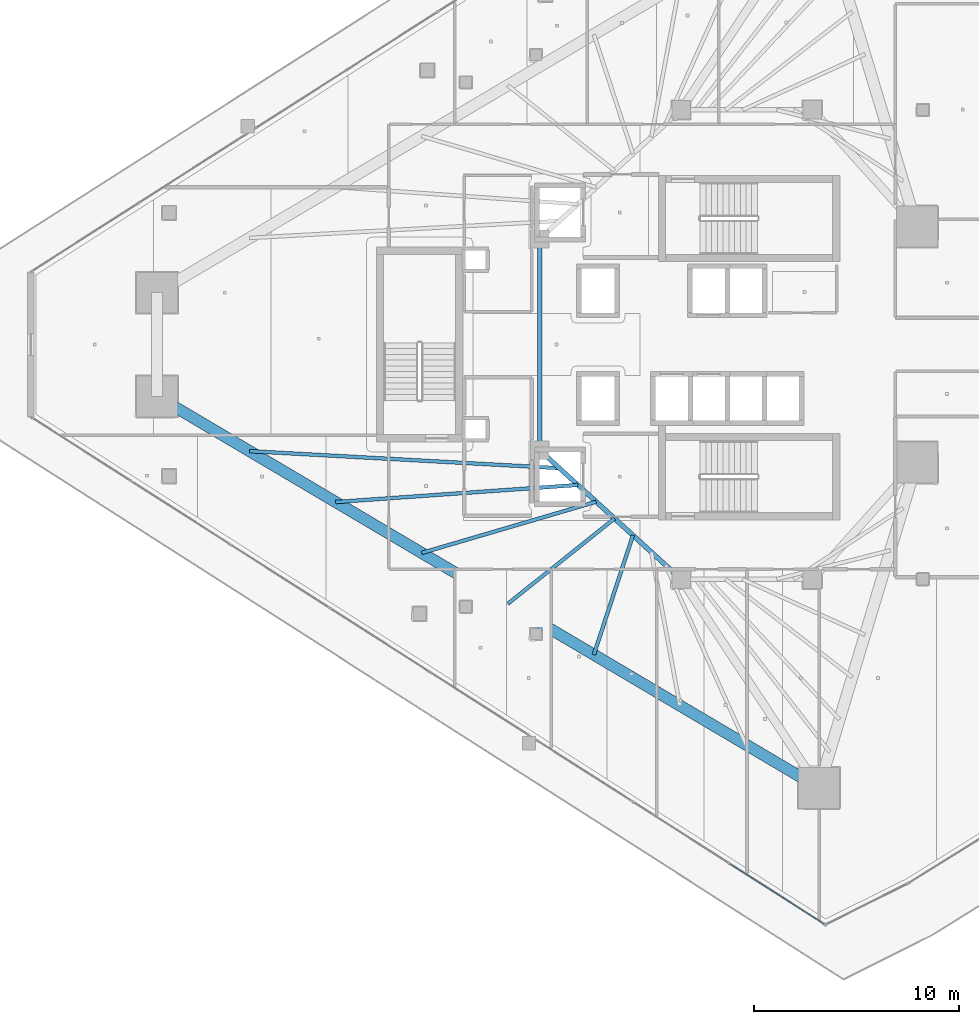
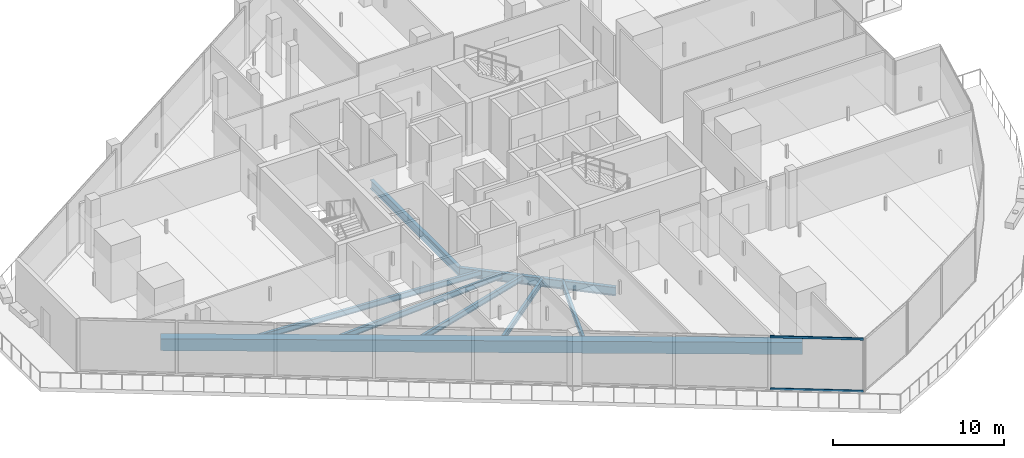
# One storey, part 7 of 37: 8 beams, 2 members, 1 element without a shape of its own.
"""IFC4 building model written with IfcOpenShell, lengths in metres."""

from ifc_helpers import new_model, si_unit, direction, frame, origin, origin_2d, place, context, subcontext, project, spatial, rectangle, hollow_rectangle, i_section, extrude, material, layer, layer_set, material_profile, profile_set, type_object, element, aggregate, save


model = new_model("IFC4")

# Units and contexts
model_context = context("Model", 3, precision=1e-05, world=origin(), true_north=direction((0.0, 1.0)))
body_context = subcontext(model_context, "Body", "Model", "MODEL_VIEW")
ifc_project = project(units=[si_unit("LENGTHUNIT", "METRE"), si_unit("AREAUNIT", "SQUARE_METRE"), si_unit("VOLUMEUNIT", "CUBIC_METRE"), si_unit("PLANEANGLEUNIT", "RADIAN"), si_unit("MASSUNIT", "GRAM", prefix="KILO")], contexts=[model_context])

# Site, building, storey
site_placement = place(None, origin())
site = spatial("IfcSite", under=ifc_project, at=site_placement, CompositionType="ELEMENT")
building_placement = place(site_placement, origin())
building = spatial("IfcBuilding", under=site, at=building_placement, Name="Qorvath Tower", CompositionType="ELEMENT")
storey_placement = place(building_placement, frame((0.0, 0.0, 184.800048828125)))
storey = spatial("IfcBuildingStorey", under=building, at=storey_placement, Name="L42", CompositionType="ELEMENT", Elevation=184.800048828125)

# Beams
ifc_material_1 = material(Name="Steel ASTM A992 Grade 50", Category="steel")
ifc_material_profile_1 = material_profile(ifc_material_1, i_section(OverallWidth=0.22998046875, OverallDepth=0.616943359375, WebThickness=0.01318359375, FlangeThickness=0.022216796875, FilletRadius=0.014892578125, at=origin_2d()), Name="W24x94")
ifc_profile_set_1 = profile_set([ifc_material_profile_1], Name="Steel ASTM A992 Grade 50")
beam_type_1 = type_object("IfcBeamType", Name="BM-FG6", PredefinedType="BEAM", material=ifc_profile_set_1)
beam_1_placement = place(storey_placement, frame((-23.60009765625, -11.449951171875, -0.57861328125), z_axis=(-0.73847813985, 0.6742774184, 0.0), x_axis=(-0.6742774184, -0.73847813985, 0.0)))
element("IfcBeam", 1, at=beam_1_placement, inside=storey, type_object=beam_type_1, Name="Core Ring Girder CC4-CC6 L42", PredefinedType="BEAM", context=body_context, shape_type="SweptSolid", body=[
    extrude(i_section(OverallWidth=0.22998046875, OverallDepth=0.616943359375, WebThickness=0.01318359375, FlangeThickness=0.022216796875, FilletRadius=0.014892578125, at=origin_2d()), origin(), (0.0, 0.0, 1.0), 9.343505859375),
])
beam_2_placement = place(storey_placement, frame((-30.5, -5.14990234375, -0.57861328125), z_axis=(0.0, 1.0, 0.0), x_axis=(-1.0, 0.0, 0.0)))
element("IfcBeam", 2, at=beam_2_placement, inside=storey, type_object=beam_type_1, Name="Core Ring Girder CC6-CC5 L42", PredefinedType="BEAM", context=body_context, shape_type="SweptSolid", body=[
    extrude(i_section(OverallWidth=0.22998046875, OverallDepth=0.616943359375, WebThickness=0.01318359375, FlangeThickness=0.022216796875, FilletRadius=0.014892578125, at=origin_2d()), origin(), (0.0, 0.0, 1.0), 10.2998046875),
])
ifc_material_2 = material(Name="Steel ASTM A992 Grade 50", Category="steel")
ifc_material_profile_2 = material_profile(ifc_material_2, i_section(OverallWidth=0.177978515625, OverallDepth=0.406005859375, WebThickness=0.0078125, FlangeThickness=0.0126953125, FilletRadius=0.010986328125, at=origin_2d()), Name="W16x40")
ifc_profile_set_2 = profile_set([ifc_material_profile_2], Name="Steel ASTM A992 Grade 50")
beam_type_2 = type_object("IfcBeamType", Name="BM-FJ3", PredefinedType="JOIST", material=ifc_profile_set_2)
beam_3_placement = place(storey_placement, frame((-29.533935546875, -6.031982421875, -0.47314453125), z_axis=(-0.998494745044, 0.054847462293, 0.0), x_axis=(-0.054847462293, -0.998494745044, 0.0)))
element("IfcBeam", 3, at=beam_3_placement, inside=storey, type_object=beam_type_2, Name="Composite Floor Joist SW1 L42", PredefinedType="JOIST", context=body_context, shape_type="SweptSolid", body=[
    extrude(i_section(OverallWidth=0.177978515625, OverallDepth=0.406005859375, WebThickness=0.0078125, FlangeThickness=0.0126953125, FilletRadius=0.010986328125, at=origin_2d()), origin(), (0.0, 0.0, 1.0), 15.138671875),
])
beam_4_placement = place(storey_placement, frame((-28.636962890625, -6.85107421875, -0.47314453125), z_axis=(-0.997520476731, -0.070376832146, 0.0), x_axis=(0.070376832146, -0.997520476731, 0.0)))
element("IfcBeam", 4, at=beam_4_placement, inside=storey, type_object=beam_type_2, Name="Composite Floor Joist SW2 L42", PredefinedType="JOIST", context=body_context, shape_type="SweptSolid", body=[
    extrude(i_section(OverallWidth=0.177978515625, OverallDepth=0.406005859375, WebThickness=0.0078125, FlangeThickness=0.0126953125, FilletRadius=0.010986328125, at=origin_2d()), origin(), (0.0, 0.0, 1.0), 11.84326171875),
])
beam_5_placement = place(storey_placement, frame((-27.739990234375, -7.669921875, -0.47314453125), z_axis=(-0.959544992264, -0.281555337049, 0.0), x_axis=(0.281555337049, -0.959544992264, 0.0)))
element("IfcBeam", 5, at=beam_5_placement, inside=storey, type_object=beam_type_2, Name="Composite Floor Joist SW3 L42", PredefinedType="JOIST", context=body_context, shape_type="SweptSolid", body=[
    extrude(i_section(OverallWidth=0.177978515625, OverallDepth=0.406005859375, WebThickness=0.0078125, FlangeThickness=0.0126953125, FilletRadius=0.010986328125, at=origin_2d()), origin(), (0.0, 0.0, 1.0), 8.87060546875),
])
beam_6_placement = place(storey_placement, frame((-26.843017578125, -8.489013671875, -0.47314453125), z_axis=(-0.781336553339, -0.624109918537, 0.0), x_axis=(0.624109918537, -0.781336553339, 0.0)))
element("IfcBeam", 6, at=beam_6_placement, inside=storey, type_object=beam_type_2, Name="Composite Floor Joist SW4 L42", PredefinedType="JOIST", context=body_context, shape_type="SweptSolid", body=[
    extrude(i_section(OverallWidth=0.177978515625, OverallDepth=0.406005859375, WebThickness=0.0078125, FlangeThickness=0.0126953125, FilletRadius=0.010986328125, at=origin_2d()), origin(), (0.0, 0.0, 1.0), 6.667724609375),
])
beam_7_placement = place(storey_placement, frame((-25.946044921875, -9.30810546875, -0.47314453125), z_axis=(-0.311228747452, -0.950335028692, 0.0), x_axis=(0.950335028692, -0.311228747452, 0.0)))
element("IfcBeam", 7, at=beam_7_placement, inside=storey, type_object=beam_type_2, Name="Composite Floor Joist SW5 L42", PredefinedType="JOIST", context=body_context, shape_type="SweptSolid", body=[
    extrude(i_section(OverallWidth=0.177978515625, OverallDepth=0.406005859375, WebThickness=0.0078125, FlangeThickness=0.0126953125, FilletRadius=0.010986328125, at=origin_2d()), origin(), (0.0, 0.0, 1.0), 6.129638671875),
])
ifc_material_3 = material(Name="Concrete C50/60", Category="concrete")
ifc_material_profile_3 = material_profile(ifc_material_3, rectangle(XDim=0.550048828125, YDim=0.85009765625, at=origin_2d()), Name="RCB 850x550")
ifc_profile_set_3 = profile_set([ifc_material_profile_3], Name="Concrete C50/60")
beam_type_3 = type_object("IfcBeamType", Name="BM-RCB2", PredefinedType="SPANDREL", material=ifc_profile_set_3)
beam_8_placement = place(storey_placement, frame((-49.171875, -2.52783203125, -0.695068359375), z_axis=(0.860776759786, -0.50898268125, 0.0), x_axis=(0.50898268125, 0.860776759786, 0.0)))
element("IfcBeam", 8, at=beam_8_placement, inside=storey, type_object=beam_type_3, Name="Perimeter Loggia Frame Beam MC2-MC3 L42", PredefinedType="SPANDREL", context=body_context, shape_type="SweptSolid", body=[
    extrude(rectangle(XDim=0.550048828125, YDim=0.85009765625, at=origin_2d()), origin(), (0.0, 0.0, 1.0), 37.524658203125),
])

# Curtain wall, members
ifc_material_4 = material(Name="Anodised aluminium and triple low-E glass", Category="aluminium")
ifc_layer = layer(ifc_material_4, 0.179931640625)
ifc_layer_set = layer_set([ifc_layer], Name="CW-SYS-3")
curtain_wall_type = type_object("IfcCurtainWallType", Name="CW-SYS-3", PredefinedType="NOTDEFINED", material=ifc_layer_set)
curtain_wall_placement = place(storey_placement, origin())
curtain_wall = element("IfcCurtainWall", 9, at=curtain_wall_placement, inside=storey, type_object=curtain_wall_type, Name="Curtain Wall CW-3 CW-T-L42-2.2", PredefinedType="NOTDEFINED")
ifc_material_5 = material(Name="Anodised aluminium 6063-T6", Category="aluminium")
ifc_material_profile_4 = material_profile(ifc_material_5, hollow_rectangle(XDim=0.06494140625, YDim=0.159912109375, WallThickness=0.00341796875, InnerFilletRadius=0.00341796875, OuterFilletRadius=0.007080078125, at=origin_2d()), Name="CWT 160x65")
ifc_profile_set_4 = profile_set([ifc_material_profile_4], Name="Anodised aluminium 6063-T6")
member_type = type_object("IfcMemberType", Name="CWT-160", PredefinedType="USERDEFINED", material=ifc_profile_set_4)
member_1_placement = place(storey_placement, frame((-21.228759765625, -25.333251953125, 0.032470703125), z_axis=(0.842598452192, -0.53854233665, 0.0), x_axis=(0.53854233665, 0.842598452192, 0.0)))
member_1 = element("IfcMember", 10, at=member_1_placement, type_object=member_type, Name="CW-3 transom 3.1", ObjectType="TRANSOM", PredefinedType="USERDEFINED", context=body_context, shape_type="SweptSolid", body=[
    extrude(hollow_rectangle(XDim=0.06494140625, YDim=0.159912109375, WallThickness=0.00341796875, InnerFilletRadius=0.00341796875, OuterFilletRadius=0.007080078125, at=origin_2d()), origin(), (0.0, 0.0, 1.0), 5.474365234375),
])
member_2_placement = place(storey_placement, frame((-21.228759765625, -25.333251953125, 3.74755859375), z_axis=(0.842598452192, -0.53854233665, 0.0), x_axis=(0.53854233665, 0.842598452192, 0.0)))
member_2 = element("IfcMember", 11, at=member_2_placement, type_object=member_type, Name="CW-3 transom 3.2", ObjectType="TRANSOM", PredefinedType="USERDEFINED", context=body_context, shape_type="SweptSolid", body=[
    extrude(hollow_rectangle(XDim=0.06494140625, YDim=0.159912109375, WallThickness=0.00341796875, InnerFilletRadius=0.00341796875, OuterFilletRadius=0.007080078125, at=origin_2d()), origin(), (0.0, 0.0, 1.0), 5.474365234375),
])
aggregate(curtain_wall, [member_1, member_2])

save(model, "model.ifc")
